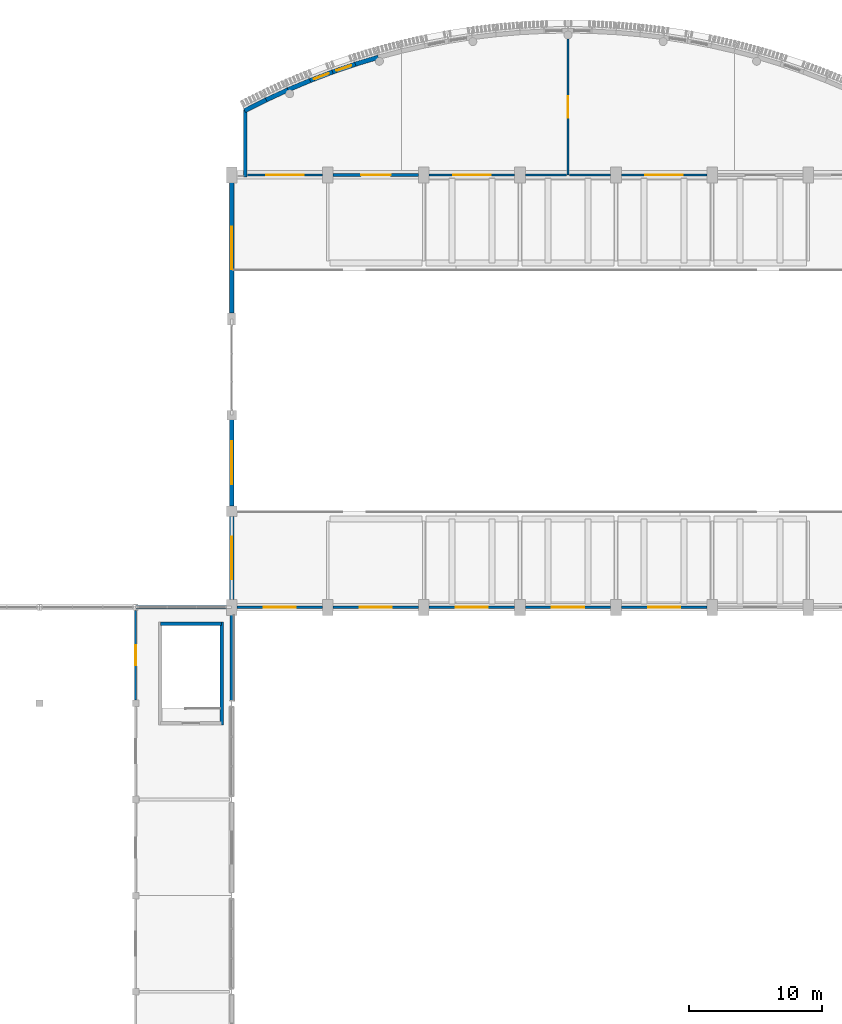
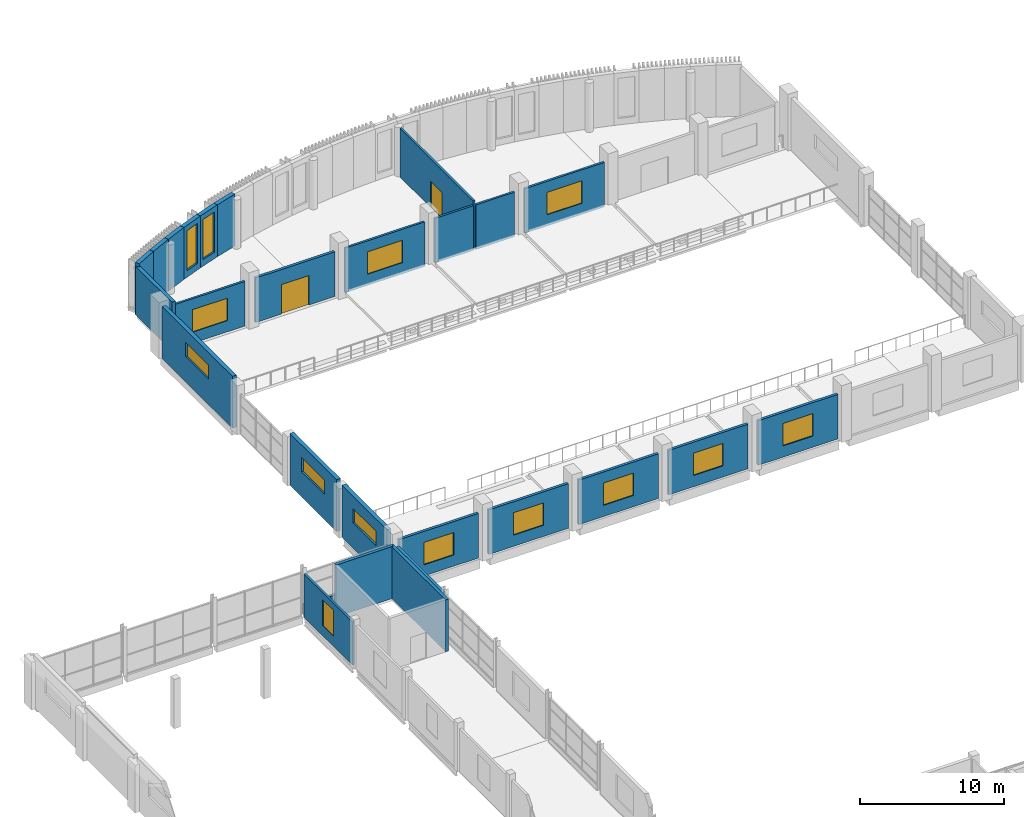
# One storey, part 52 of 71: 27 walls, 14 windows, 2 doors, 16 openings.
"""IFC4 building model written with IfcOpenShell, lengths in metres."""

from ifc_helpers import new_model, si_unit, direction, frame, frame_2d, origin, place, context, subcontext, project, spatial, polyline, rectangle, outline, extrude, material, layer, layer_set, type_object, element, fill, save


model = new_model("IFC4")

# Units and contexts
model_context = context("Model", 3, precision=1e-05, world=origin(), true_north=direction((0.0, 1.0)))
body_context = subcontext(model_context, "Body", "Model", "MODEL_VIEW")
ifc_project = project(units=[si_unit("LENGTHUNIT", "METRE"), si_unit("AREAUNIT", "SQUARE_METRE"), si_unit("VOLUMEUNIT", "CUBIC_METRE"), si_unit("PLANEANGLEUNIT", "RADIAN"), si_unit("MASSUNIT", "GRAM", prefix="KILO")], contexts=[model_context])

# Site, building, storey
site_placement = place(None, origin())
site = spatial("IfcSite", under=ifc_project, at=site_placement, CompositionType="ELEMENT")
building_placement = place(site_placement, origin())
building = spatial("IfcBuilding", under=site, at=building_placement, Name="Sardonyx Promenade Sports Hall", CompositionType="ELEMENT")
storey_placement = place(building_placement, frame((0.0, 0.0, 16.0)))
storey = spatial("IfcBuildingStorey", under=building, at=storey_placement, Name="L03", CompositionType="ELEMENT", Elevation=16.0)

# Walls
ifc_material_1 = material(Name="Concrete C40/50", Category="concrete")
ifc_layer_1 = layer(ifc_material_1, 0.340087890625)
ifc_layer_set_1 = layer_set([ifc_layer_1], Name="Wall_Bow_Arc_340")
wall_type_1 = type_object("IfcWallType", Name="Wall_Bow_Arc_340", PredefinedType="SOLIDWALL", material=ifc_layer_set_1)
for number, where, z_axis, x_axis, name in (
    (1, (29.773681640625, 109.2119140625, 0.0), (0.0, 0.0, 1.0), (0.892821085875, 0.450411488104, 0.0), "Bowed promenade wall EW07 L03 CH01"),
    (2, (31.380859375, 110.022705078125, 0.0), (0.0, 0.0, 1.0), (0.907808472517, 0.419384998808, 0.0), "Bowed promenade wall EW07 L03 CH02"),
):
    element("IfcWall", number, at=place(storey_placement, frame(where, z_axis=z_axis, x_axis=x_axis)), inside=storey, type_object=wall_type_1, Name=name, PredefinedType="SOLIDWALL", context=body_context, shape_type="SweptSolid", body=[
        extrude(outline(polyline([(0.002943, -0.17), (1.797057, -0.17), (1.802943, 0.17), (-0.002943, 0.17), (0.002943, -0.17)])), origin(), (0.0, 0.0, 1.0), 4.39990234375),
    ])
wall_1_placement = place(storey_placement, frame((33.014892578125, 110.777587890625, 0.0), z_axis=(0.0, 0.0, 1.0), x_axis=(0.921803799964, 0.387656748131, 0.0)))
element("IfcWall", 3, at=wall_1_placement, inside=storey, type_object=wall_type_1, Name="Bowed promenade wall EW07 L03 CH03", PredefinedType="SOLIDWALL", context=body_context, shape_type="SweptSolid", body=[
    extrude(outline(polyline([(0.002943, -0.17), (1.797058, -0.17), (1.802943, 0.17), (-0.002943, 0.17), (0.002943, -0.17)])), origin(), (0.0, 0.0, 1.0), 4.39990234375),
])

# Wall, opening, window
wall_2_placement = place(storey_placement, frame((34.674072265625, 111.475341796875, 0.0), z_axis=(0.0, 0.0, 1.0), x_axis=(0.934674543416, 0.35550456803, 0.0)))
wall_2 = element("IfcWall", 4, at=wall_2_placement, inside=storey, type_object=wall_type_1, Name="Bowed promenade wall EW07 L03 CH04", PredefinedType="SOLIDWALL", context=body_context, shape_type="SweptSolid", body=[
    extrude(outline(polyline([(0.002943, -0.17), (1.797057, -0.17), (1.802943, 0.17), (-0.002943, 0.17), (0.002943, -0.17)])), origin(), (0.0, 0.0, 1.0), 4.39990234375),
])
opening_1_placement = place(wall_2_placement, frame((0.31005859375, 0.0, 0.550048828125)))
opening_1 = element("IfcOpeningElement", 5, at=opening_1_placement, cuts=wall_2, Name="Opening W24", PredefinedType="OPENING", context=body_context, shape_type="SweptSolid", body=[
    extrude(rectangle(XDim=1.179931640625, YDim=3.39990234375, at=frame_2d((0.58984375, 1.699951171875))), frame((0.0, 0.18, 0.0), z_axis=(0.0, -1.0, 0.0), x_axis=(1.0, 0.0, 0.0)), (0.0, 0.0, 1.0), 0.36),
])
ifc_material_2 = material(Name="Double-glazed solar low-E aluminium window", Category="aluminium")
window_type_1 = type_object("IfcWindowType", Name="Win_Bow_Upper", PartitioningType="SINGLE_PANEL", PredefinedType="WINDOW", material=ifc_material_2)
window_1_placement = place(opening_1_placement, origin())
window_1 = element("IfcWindow", 6, at=window_1_placement, inside=storey, type_object=window_type_1, Name="Harbour daylight bay window W24 L03 CH04", OverallHeight=3.39990234375, OverallWidth=1.179931640625, PartitioningType="SINGLE_PANEL", PredefinedType="WINDOW", context=body_context, shape_type="SweptSolid", body=[
    extrude(rectangle(XDim=1.179931640625, YDim=3.39990234375, at=frame_2d((0.58984375, 1.699951171875))), frame((0.0, 0.030029296875, 0.0), z_axis=(0.0, -1.0, 0.0), x_axis=(1.0, 0.0, 0.0)), (0.0, 0.0, 1.0), 0.06005859375),
])
fill(opening_1, window_1)

wall_3_placement = place(storey_placement, frame((36.3564453125, 112.115234375, 0.0), z_axis=(0.0, 0.0, 1.0), x_axis=(0.946421657721, 0.322933500578, 0.0)))
wall_3 = element("IfcWall", 7, at=wall_3_placement, inside=storey, type_object=wall_type_1, Name="Bowed promenade wall EW07 L03 CH05", PredefinedType="SOLIDWALL", context=body_context, shape_type="SweptSolid", body=[
    extrude(outline(polyline([(0.002943, -0.17), (1.797057, -0.17), (1.802942, 0.17), (-0.002943, 0.17), (0.002943, -0.17)])), origin(), (0.0, 0.0, 1.0), 4.39990234375),
])
opening_2_placement = place(wall_3_placement, frame((0.31005859375, 0.0, 0.550048828125)))
opening_2 = element("IfcOpeningElement", 8, at=opening_2_placement, cuts=wall_3, Name="Opening W24", PredefinedType="OPENING", context=body_context, shape_type="SweptSolid", body=[
    extrude(rectangle(XDim=1.179931640625, YDim=3.39990234375, at=frame_2d((0.58984375, 1.699951171875))), frame((0.0, 0.18, 0.0), z_axis=(0.0, -1.0, 0.0), x_axis=(1.0, 0.0, 0.0)), (0.0, 0.0, 1.0), 0.36),
])
window_2_placement = place(opening_2_placement, origin())
window_2 = element("IfcWindow", 9, at=window_2_placement, inside=storey, type_object=window_type_1, Name="Harbour daylight bay window W24 L03 CH05", OverallHeight=3.39990234375, OverallWidth=1.179931640625, PartitioningType="SINGLE_PANEL", PredefinedType="WINDOW", context=body_context, shape_type="SweptSolid", body=[
    extrude(rectangle(XDim=1.179931640625, YDim=3.39990234375, at=frame_2d((0.58984375, 1.699951171875))), frame((0.0, 0.030029296875, 0.0), z_axis=(0.0, -1.0, 0.0), x_axis=(1.0, 0.0, 0.0)), (0.0, 0.0, 1.0), 0.06005859375),
])
fill(opening_2, window_2)

# Wall
wall_4_placement = place(storey_placement, frame((38.06005859375, 112.696533203125, 0.0), z_axis=(0.0, 0.0, 1.0), x_axis=(0.956993600338, 0.290109029354, 0.0)))
element("IfcWall", 10, at=wall_4_placement, inside=storey, type_object=wall_type_1, Name="Bowed promenade wall EW07 L03 CH06", PredefinedType="SOLIDWALL", context=body_context, shape_type="SweptSolid", body=[
    extrude(outline(polyline([(0.002943, -0.17), (1.797057, -0.17), (1.802942, 0.17), (-0.002943, 0.17), (0.002943, -0.17)])), origin(), (0.0, 0.0, 1.0), 4.39990234375),
])

# Wall, opening, window
ifc_material_3 = material(Name="Concrete C40/50", Category="concrete")
ifc_layer_2 = layer(ifc_material_3, 0.320068359375)
ifc_layer_set_2 = layer_set([ifc_layer_2], Name="Wall_Ext_Court_320")
wall_type_2 = type_object("IfcWallType", Name="Wall_Ext_Court_320", PredefinedType="SOLIDWALL", material=ifc_layer_set_2)
wall_5_placement = place(storey_placement, frame((28.800048828125, 72.5849609375, 0.0), z_axis=(0.0, 0.0, 1.0), x_axis=(0.0, 1.0, 0.0)))
wall_5 = element("IfcWall", 11, at=wall_5_placement, inside=storey, type_object=wall_type_2, Name="Exterior wall EW01 L03 #218", PredefinedType="SOLIDWALL", context=body_context, shape_type="SweptSolid", body=[
    extrude(rectangle(XDim=6.22998046875, YDim=0.320068359375, at=frame_2d((3.114990234375, 0.0))), origin(), (0.0, 0.0, 1.0), 4.39990234375),
])
opening_3_placement = place(wall_5_placement, frame((1.514892578125, 0.0, 2.14990234375)))
opening_3 = element("IfcOpeningElement", 12, at=opening_3_placement, cuts=wall_5, Name="Opening W22", PredefinedType="OPENING", context=body_context, shape_type="SweptSolid", body=[
    extrude(rectangle(XDim=3.199951171875, YDim=1.199951171875, at=frame_2d((1.60009765625, 0.60009765625))), frame((0.0, 0.17, 0.0), z_axis=(0.0, -1.0, 0.0), x_axis=(1.0, 0.0, 0.0)), (0.0, 0.0, 1.0), 0.34),
])
ifc_material_4 = material(Name="Double-glazed solar low-E aluminium window", Category="aluminium")
window_type_2 = type_object("IfcWindowType", Name="Win_Clerestory_320x120", PartitioningType="DOUBLE_PANEL_VERTICAL", PredefinedType="WINDOW", material=ifc_material_4)
window_3_placement = place(opening_3_placement, origin())
window_3 = element("IfcWindow", 13, at=window_3_placement, inside=storey, type_object=window_type_2, Name="Facade window W22 L03 #87", OverallHeight=1.199951171875, OverallWidth=3.199951171875, PartitioningType="SINGLE_PANEL", PredefinedType="WINDOW", context=body_context, shape_type="SweptSolid", body=[
    extrude(rectangle(XDim=3.199951171875, YDim=1.199951171875, at=frame_2d((1.60009765625, 0.60009765625))), frame((0.0, 0.030029296875, 0.0), z_axis=(0.0, -1.0, 0.0), x_axis=(1.0, 0.0, 0.0)), (0.0, 0.0, 1.0), 0.06005859375),
])
fill(opening_3, window_3)

wall_6_placement = place(storey_placement, frame((28.800048828125, 79.5849609375, 0.0), z_axis=(0.0, 0.0, 1.0), x_axis=(0.0, 1.0, 0.0)))
wall_6 = element("IfcWall", 14, at=wall_6_placement, inside=storey, type_object=wall_type_2, Name="Exterior wall EW01 L03 #219", PredefinedType="SOLIDWALL", context=body_context, shape_type="SweptSolid", body=[
    extrude(rectangle(XDim=6.47998046875, YDim=0.320068359375, at=frame_2d((3.239990234375, 0.0))), origin(), (0.0, 0.0, 1.0), 4.39990234375),
])
opening_4_placement = place(wall_6_placement, frame((1.639892578125, 0.0, 2.14990234375)))
opening_4 = element("IfcOpeningElement", 15, at=opening_4_placement, cuts=wall_6, Name="Opening W22", PredefinedType="OPENING", context=body_context, shape_type="SweptSolid", body=[
    extrude(rectangle(XDim=3.199951171875, YDim=1.199951171875, at=frame_2d((1.60009765625, 0.60009765625))), frame((0.0, 0.17, 0.0), z_axis=(0.0, -1.0, 0.0), x_axis=(1.0, 0.0, 0.0)), (0.0, 0.0, 1.0), 0.34),
])
window_4_placement = place(opening_4_placement, origin())
window_4 = element("IfcWindow", 16, at=window_4_placement, inside=storey, type_object=window_type_2, Name="Facade window W22 L03 #88", OverallHeight=1.199951171875, OverallWidth=3.199951171875, PartitioningType="SINGLE_PANEL", PredefinedType="WINDOW", context=body_context, shape_type="SweptSolid", body=[
    extrude(rectangle(XDim=3.199951171875, YDim=1.199951171875, at=frame_2d((1.60009765625, 0.60009765625))), frame((0.0, 0.030029296875, 0.0), z_axis=(0.0, -1.0, 0.0), x_axis=(1.0, 0.0, 0.0)), (0.0, 0.0, 1.0), 0.06005859375),
])
fill(opening_4, window_4)

wall_7_placement = place(storey_placement, frame((28.800048828125, 94.034912109375, 0.0), z_axis=(0.0, 0.0, 1.0), x_axis=(0.0, 1.0, 0.0)))
wall_7 = element("IfcWall", 17, at=wall_7_placement, inside=storey, type_object=wall_type_2, Name="Exterior wall EW01 L03 #220", PredefinedType="SOLIDWALL", context=body_context, shape_type="SweptSolid", body=[
    extrude(rectangle(XDim=9.780029296875, YDim=0.320068359375, at=frame_2d((4.89013671875, 0.0))), origin(), (0.0, 0.0, 1.0), 4.39990234375),
])
opening_5_placement = place(wall_7_placement, frame((3.2900390625, 0.0, 2.14990234375)))
opening_5 = element("IfcOpeningElement", 18, at=opening_5_placement, cuts=wall_7, Name="Opening W22", PredefinedType="OPENING", context=body_context, shape_type="SweptSolid", body=[
    extrude(rectangle(XDim=3.199951171875, YDim=1.199951171875, at=frame_2d((1.60009765625, 0.60009765625))), frame((0.0, 0.17, 0.0), z_axis=(0.0, -1.0, 0.0), x_axis=(1.0, 0.0, 0.0)), (0.0, 0.0, 1.0), 0.34),
])
window_5_placement = place(opening_5_placement, origin())
window_5 = element("IfcWindow", 19, at=window_5_placement, inside=storey, type_object=window_type_2, Name="Facade window W22 L03 #89", OverallHeight=1.199951171875, OverallWidth=3.199951171875, PartitioningType="SINGLE_PANEL", PredefinedType="WINDOW", context=body_context, shape_type="SweptSolid", body=[
    extrude(rectangle(XDim=3.199951171875, YDim=1.199951171875, at=frame_2d((1.60009765625, 0.60009765625))), frame((0.0, 0.030029296875, 0.0), z_axis=(0.0, -1.0, 0.0), x_axis=(1.0, 0.0, 0.0)), (0.0, 0.0, 1.0), 0.06005859375),
])
fill(opening_5, window_5)

# Walls
ifc_material_5 = material(Name="Masonry CMU 15 MPa", Category="masonry")
ifc_layer_3 = layer(ifc_material_5, 0.239990234375)
ifc_layer_set_3 = layer_set([ifc_layer_3], Name="Wall_Ext_Spandrel_240")
wall_type_3 = type_object("IfcWallType", Name="Wall_Ext_Spandrel_240", PredefinedType="SOLIDWALL", material=ifc_layer_set_3)
wall_8_placement = place(storey_placement, frame((21.60400390625, 72.0, 0.0), z_axis=(0.0, 0.0, 1.0), x_axis=(1.0, 0.0, 0.0)))
element("IfcWall", 20, at=wall_8_placement, inside=storey, type_object=wall_type_3, Name="Curtain-wall sill spandrel L03 #174", PredefinedType="SOLIDWALL", context=body_context, shape_type="SweptSolid", body=[
    extrude(rectangle(XDim=6.81103515625, YDim=0.239990234375, at=frame_2d((3.405517578125, 0.0))), origin(), (0.0, 0.0, 1.0), 0.89990234375),
])
ifc_material_6 = material(Name="Concrete C40/50", Category="concrete")
ifc_layer_4 = layer(ifc_material_6, 0.280029296875)
ifc_layer_set_4 = layer_set([ifc_layer_4], Name="Wall_Ext_Wing_280")
wall_type_4 = type_object("IfcWallType", Name="Wall_Ext_Wing_280", PredefinedType="SOLIDWALL", material=ifc_layer_set_4)
wall_9_placement = place(storey_placement, frame((29.82373046875, 104.25, 0.0), z_axis=(0.0, 0.0, 1.0), x_axis=(0.0, 1.0, 0.0)))
element("IfcWall", 21, at=wall_9_placement, inside=storey, type_object=wall_type_4, Name="Bowed gallery west return wall L03", PredefinedType="SOLIDWALL", context=body_context, shape_type="SweptSolid", body=[
    extrude(rectangle(XDim=5.041748046875, YDim=0.280029296875, at=frame_2d((2.52099609375, 0.0))), origin(), (0.0, 0.0, 1.0), 4.1201171875),
])
wall_10_placement = place(storey_placement, frame((28.800048828125, 71.4150390625, 0.0), z_axis=(0.0, 0.0, 1.0), x_axis=(0.0, -1.0, 0.0)))
element("IfcWall", 22, at=wall_10_placement, inside=storey, type_object=wall_type_4, Name="Exterior wall EW02 L03 #233", PredefinedType="SOLIDWALL", context=body_context, shape_type="SweptSolid", body=[
    extrude(rectangle(XDim=6.41015625, YDim=0.280029296875, at=frame_2d((3.205078125, 0.0))), origin(), (0.0, 0.0, 1.0), 3.64990234375),
])

# Wall, opening, door
ifc_material_7 = material(Name="Twin-stud acoustic gypsum partition", Category="gypsum")
ifc_layer_5 = layer(ifc_material_7, 0.169921875)
ifc_layer_set_5 = layer_set([ifc_layer_5], Name="Wall_Part_Acoust_170")
wall_type_5 = type_object("IfcWallType", Name="Wall_Part_Acoust_170", PredefinedType="PARTITIONING", material=ifc_layer_set_5)
wall_11_placement = place(storey_placement, frame((54.0, 104.39990234375, 0.0), z_axis=(0.0, 0.0, 1.0), x_axis=(0.0, 1.0, 0.0)))
wall_11 = element("IfcWall", 23, at=wall_11_placement, inside=storey, type_object=wall_type_5, Name="Interior partition PW06 L03 #420", PredefinedType="PARTITIONING", context=body_context, shape_type="SweptSolid", body=[
    extrude(rectangle(XDim=10.18017578125, YDim=0.169921875, at=frame_2d((5.090087890625, 0.0))), origin(), (0.0, 0.0, 1.0), 4.1201171875),
])
opening_6_placement = place(wall_11_placement, frame((4.2900390625, 0.0, 0.0)))
opening_6 = element("IfcOpeningElement", 24, at=opening_6_placement, cuts=wall_11, Name="Opening ID09", PredefinedType="OPENING", context=body_context, shape_type="SweptSolid", body=[
    extrude(rectangle(XDim=1.60009765625, YDim=2.199951171875, at=frame_2d((0.800048828125, 1.10009765625))), frame((0.0, 0.095, 0.0), z_axis=(0.0, -1.0, 0.0), x_axis=(1.0, 0.0, 0.0)), (0.0, 0.0, 1.0), 0.19),
])
ifc_material_8 = material(Name="Double hardwood vision-panel fire door FD60S", Category="wood")
door_type_1 = type_object("IfcDoorType", Name="Door_Lobby_FD60_160x220", OperationType="NOTDEFINED", PredefinedType="DOOR", material=ifc_material_8)
door_1_placement = place(opening_6_placement, origin())
door_1 = element("IfcDoor", 25, at=door_1_placement, inside=storey, type_object=door_type_1, Name="Interior door D03-133", OperationType="DOUBLE_DOOR_SINGLE_SWING", OverallHeight=2.199951171875, OverallWidth=1.60009765625, PredefinedType="DOOR", context=body_context, shape_type="SweptSolid", body=[
    extrude(rectangle(XDim=1.60009765625, YDim=2.199951171875, at=frame_2d((0.800048828125, 1.10009765625))), frame((0.0, 0.02490234375, 0.0), z_axis=(0.0, -1.0, 0.0), x_axis=(1.0, 0.0, 0.0)), (0.0, 0.0, 1.0), 0.050048828125),
])
fill(opening_6, door_1)

# Wall, opening, window
wall_12_placement = place(storey_placement, frame((29.9736328125, 104.39990234375, 0.0), z_axis=(0.0, 0.0, 1.0), x_axis=(1.0, 0.0, 0.0)))
wall_12 = element("IfcWall", 26, at=wall_12_placement, inside=storey, type_object=wall_type_5, Name="Interior partition PW06 L03 #421", PredefinedType="PARTITIONING", context=body_context, shape_type="SweptSolid", body=[
    extrude(rectangle(XDim=5.62646484375, YDim=0.169921875, at=frame_2d((2.813232421875, 0.0))), origin(), (0.0, 0.0, 1.0), 3.780029296875),
])
opening_7_placement = place(wall_12_placement, frame((1.4130859375, 0.0, 0.949951171875)))
opening_7 = element("IfcOpeningElement", 27, at=opening_7_placement, cuts=wall_12, Name="Opening IW06", PredefinedType="OPENING", context=body_context, shape_type="SweptSolid", body=[
    extrude(rectangle(XDim=2.800048828125, YDim=1.89990234375, at=frame_2d((1.39990234375, 0.949951171875))), frame((0.0, 0.095, 0.0), z_axis=(0.0, -1.0, 0.0), x_axis=(1.0, 0.0, 0.0)), (0.0, 0.0, 1.0), 0.19),
])
ifc_material_9 = material(Name="Acoustic laminated sports viewing glazing EI 60", Category="glass")
window_type_3 = type_object("IfcWindowType", Name="IWin_Arena_280x190", PartitioningType="DOUBLE_PANEL_VERTICAL", PredefinedType="WINDOW", material=ifc_material_9)
window_6_placement = place(opening_7_placement, origin())
window_6 = element("IfcWindow", 28, at=window_6_placement, inside=storey, type_object=window_type_3, Name="Internal viewing window IW06 L03 #41", OverallHeight=1.89990234375, OverallWidth=2.800048828125, PartitioningType="SINGLE_PANEL", PredefinedType="WINDOW", context=body_context, shape_type="SweptSolid", body=[
    extrude(rectangle(XDim=2.800048828125, YDim=1.89990234375, at=frame_2d((1.39990234375, 0.949951171875))), frame((0.0, 0.030029296875, 0.0), z_axis=(0.0, -1.0, 0.0), x_axis=(1.0, 0.0, 0.0)), (0.0, 0.0, 1.0), 0.06005859375),
])
fill(opening_7, window_6)

wall_13_placement = place(storey_placement, frame((43.60009765625, 104.39990234375, 0.0), z_axis=(0.0, 0.0, 1.0), x_axis=(1.0, 0.0, 0.0)))
wall_13 = element("IfcWall", 29, at=wall_13_placement, inside=storey, type_object=wall_type_5, Name="Interior partition PW06 L03 #423", PredefinedType="PARTITIONING", context=body_context, shape_type="SweptSolid", body=[
    extrude(rectangle(XDim=6.39990234375, YDim=0.169921875, at=frame_2d((3.199951171875, 0.0))), origin(), (0.0, 0.0, 1.0), 3.780029296875),
])
opening_8_placement = place(wall_13_placement, frame((1.800048828125, 0.0, 0.949951171875)))
opening_8 = element("IfcOpeningElement", 30, at=opening_8_placement, cuts=wall_13, Name="Opening IW06", PredefinedType="OPENING", context=body_context, shape_type="SweptSolid", body=[
    extrude(rectangle(XDim=2.800048828125, YDim=1.89990234375, at=frame_2d((1.39990234375, 0.949951171875))), frame((0.0, 0.095, 0.0), z_axis=(0.0, -1.0, 0.0), x_axis=(1.0, 0.0, 0.0)), (0.0, 0.0, 1.0), 0.19),
])
window_7_placement = place(opening_8_placement, origin())
window_7 = element("IfcWindow", 31, at=window_7_placement, inside=storey, type_object=window_type_3, Name="Internal viewing window IW06 L03 #42", OverallHeight=1.89990234375, OverallWidth=2.800048828125, PartitioningType="SINGLE_PANEL", PredefinedType="WINDOW", context=body_context, shape_type="SweptSolid", body=[
    extrude(rectangle(XDim=2.800048828125, YDim=1.89990234375, at=frame_2d((1.39990234375, 0.949951171875))), frame((0.0, 0.030029296875, 0.0), z_axis=(0.0, -1.0, 0.0), x_axis=(1.0, 0.0, 0.0)), (0.0, 0.0, 1.0), 0.06005859375),
])
fill(opening_8, window_7)

# Walls
for number, where, z_axis, x_axis, name in (
    (32, (50.800048828125, 104.39990234375, 0.0), (0.0, 0.0, 1.0), (1.0, 0.0, 0.0), "Interior partition PW06 L03 #424"),
    (33, (54.094970703125, 104.39990234375, 0.0), (0.0, 0.0, 1.0), (1.0, 0.0, 0.0), "Interior partition PW06 L03 #425"),
):
    element("IfcWall", number, at=place(storey_placement, frame(where, z_axis=z_axis, x_axis=x_axis)), inside=storey, type_object=wall_type_5, Name=name, PredefinedType="PARTITIONING", context=body_context, shape_type="SweptSolid", body=[
        extrude(rectangle(XDim=3.10498046875, YDim=0.169921875, at=frame_2d((1.552490234375, 0.0))), origin(), (0.0, 0.0, 1.0), 3.780029296875),
    ])

# Wall, opening, window
wall_14_placement = place(storey_placement, frame((58.0, 104.39990234375, 0.0), z_axis=(0.0, 0.0, 1.0), x_axis=(1.0, 0.0, 0.0)))
wall_14 = element("IfcWall", 34, at=wall_14_placement, inside=storey, type_object=wall_type_5, Name="Interior partition PW06 L03 #426", PredefinedType="PARTITIONING", context=body_context, shape_type="SweptSolid", body=[
    extrude(rectangle(XDim=6.39990234375, YDim=0.169921875, at=frame_2d((3.199951171875, 0.0))), origin(), (0.0, 0.0, 1.0), 3.780029296875),
])
opening_9_placement = place(wall_14_placement, frame((1.800048828125, 0.0, 0.949951171875)))
opening_9 = element("IfcOpeningElement", 35, at=opening_9_placement, cuts=wall_14, Name="Opening IW06", PredefinedType="OPENING", context=body_context, shape_type="SweptSolid", body=[
    extrude(rectangle(XDim=2.800048828125, YDim=1.89990234375, at=frame_2d((1.39990234375, 0.949951171875))), frame((0.0, 0.095, 0.0), z_axis=(0.0, -1.0, 0.0), x_axis=(1.0, 0.0, 0.0)), (0.0, 0.0, 1.0), 0.19),
])
window_8_placement = place(opening_9_placement, origin())
window_8 = element("IfcWindow", 36, at=window_8_placement, inside=storey, type_object=window_type_3, Name="Internal viewing window IW06 L03 #43", OverallHeight=1.89990234375, OverallWidth=2.800048828125, PartitioningType="SINGLE_PANEL", PredefinedType="WINDOW", context=body_context, shape_type="SweptSolid", body=[
    extrude(rectangle(XDim=2.800048828125, YDim=1.89990234375, at=frame_2d((1.39990234375, 0.949951171875))), frame((0.0, 0.030029296875, 0.0), z_axis=(0.0, -1.0, 0.0), x_axis=(1.0, 0.0, 0.0)), (0.0, 0.0, 1.0), 0.06005859375),
])
fill(opening_9, window_8)

wall_15_placement = place(storey_placement, frame((21.60009765625, 65.050048828125, 0.0), z_axis=(0.0, 0.0, 1.0), x_axis=(0.0, 1.0, 0.0)))
wall_15 = element("IfcWall", 37, at=wall_15_placement, inside=storey, type_object=wall_type_5, Name="Interior partition PW06 L03 #505", PredefinedType="PARTITIONING", context=body_context, shape_type="SweptSolid", body=[
    extrude(rectangle(XDim=6.72998046875, YDim=0.169921875, at=frame_2d((3.364990234375, 0.0))), origin(), (0.0, 0.0, 1.0), 3.64990234375),
])
opening_10_placement = place(wall_15_placement, frame((2.614990234375, 0.0, 0.85009765625)))
opening_10 = element("IfcOpeningElement", 38, at=opening_10_placement, cuts=wall_15, Name="Opening IW08", PredefinedType="OPENING", context=body_context, shape_type="SweptSolid", body=[
    extrude(rectangle(XDim=1.5, YDim=2.199951171875, at=frame_2d((0.75, 1.10009765625))), frame((0.0, 0.095, 0.0), z_axis=(0.0, -1.0, 0.0), x_axis=(1.0, 0.0, 0.0)), (0.0, 0.0, 1.0), 0.19),
])
ifc_material_10 = material(Name="Acoustic laminated sports viewing glazing EI 60", Category="glass")
window_type_4 = type_object("IfcWindowType", Name="IWin_Climb_150x220", PartitioningType="DOUBLE_PANEL_VERTICAL", PredefinedType="WINDOW", material=ifc_material_10)
window_9_placement = place(opening_10_placement, origin())
window_9 = element("IfcWindow", 39, at=window_9_placement, inside=storey, type_object=window_type_4, Name="Internal viewing window IW08 L03 #87", OverallHeight=2.199951171875, OverallWidth=1.5, PartitioningType="SINGLE_PANEL", PredefinedType="WINDOW", context=body_context, shape_type="SweptSolid", body=[
    extrude(rectangle(XDim=1.5, YDim=2.199951171875, at=frame_2d((0.75, 1.10009765625))), frame((0.0, 0.030029296875, 0.0), z_axis=(0.0, -1.0, 0.0), x_axis=(1.0, 0.0, 0.0)), (0.0, 0.0, 1.0), 0.06005859375),
])
fill(opening_10, window_9)

# Wall, opening, door
ifc_material_11 = material(Name="Masonry CMU 15 MPa", Category="masonry")
ifc_layer_6 = layer(ifc_material_11, 0.2099609375)
ifc_layer_set_6 = layer_set([ifc_layer_6], Name="Wall_Part_Block_210")
wall_type_6 = type_object("IfcWallType", Name="Wall_Part_Block_210", PredefinedType="PARTITIONING", material=ifc_layer_set_6)
wall_16_placement = place(storey_placement, frame((36.39990234375, 104.39990234375, 0.0), z_axis=(0.0, 0.0, 1.0), x_axis=(1.0, 0.0, 0.0)))
wall_16 = element("IfcWall", 40, at=wall_16_placement, inside=storey, type_object=wall_type_6, Name="Interior partition PW07 L03 #422", PredefinedType="PARTITIONING", context=body_context, shape_type="SweptSolid", body=[
    extrude(rectangle(XDim=6.400146484375, YDim=0.2099609375, at=frame_2d((3.2001953125, 0.0))), origin(), (0.0, 0.0, 1.0), 3.780029296875),
])
opening_11_placement = place(wall_16_placement, frame((2.10009765625, 0.0, 0.0)))
opening_11 = element("IfcOpeningElement", 41, at=opening_11_placement, cuts=wall_16, Name="Opening ID04", PredefinedType="OPENING", context=body_context, shape_type="SweptSolid", body=[
    extrude(rectangle(XDim=2.199951171875, YDim=2.5, at=frame_2d((1.10009765625, 1.25))), frame((0.0, 0.115, 0.0), z_axis=(0.0, -1.0, 0.0), x_axis=(1.0, 0.0, 0.0)), (0.0, 0.0, 1.0), 0.23),
])
ifc_material_12 = material(Name="Double acoustic sports hall fire door FD60S", Category="wood")
door_type_2 = type_object("IfcDoorType", Name="Door_Hall_FD60_220x250", OperationType="NOTDEFINED", PredefinedType="DOOR", material=ifc_material_12)
door_2_placement = place(opening_11_placement, origin())
door_2 = element("IfcDoor", 42, at=door_2_placement, inside=storey, type_object=door_type_2, Name="Interior door D03-134", OperationType="DOUBLE_DOOR_SINGLE_SWING", OverallHeight=2.5, OverallWidth=2.199951171875, PredefinedType="DOOR", context=body_context, shape_type="SweptSolid", body=[
    extrude(rectangle(XDim=2.199951171875, YDim=2.5, at=frame_2d((1.10009765625, 1.25))), frame((0.0, 0.02490234375, 0.0), z_axis=(0.0, -1.0, 0.0), x_axis=(1.0, 0.0, 0.0)), (0.0, 0.0, 1.0), 0.050048828125),
])
fill(opening_11, door_2)

# Wall, opening, window
wall_17_placement = place(storey_placement, frame((29.199951171875, 72.0, 0.0), z_axis=(0.0, 0.0, 1.0), x_axis=(1.0, 0.0, 0.0)))
wall_17 = element("IfcWall", 43, at=wall_17_placement, inside=storey, type_object=wall_type_6, Name="Interior partition PW07 L03 #429", PredefinedType="PARTITIONING", context=body_context, shape_type="SweptSolid", body=[
    extrude(rectangle(XDim=6.400146484375, YDim=0.2099609375, at=frame_2d((3.2001953125, 0.0))), origin(), (0.0, 0.0, 1.0), 3.780029296875),
])
opening_12_placement = place(wall_17_placement, frame((2.0, 0.0, 0.949951171875)))
opening_12 = element("IfcOpeningElement", 44, at=opening_12_placement, cuts=wall_17, Name="Opening IW03", PredefinedType="OPENING", context=body_context, shape_type="SweptSolid", body=[
    extrude(rectangle(XDim=2.39990234375, YDim=1.89990234375, at=frame_2d((1.199951171875, 0.949951171875))), frame((0.0, 0.115, 0.0), z_axis=(0.0, -1.0, 0.0), x_axis=(1.0, 0.0, 0.0)), (0.0, 0.0, 1.0), 0.23),
])
ifc_material_13 = material(Name="Acoustic laminated sports viewing glazing EI 60", Category="glass")
window_type_5 = type_object("IfcWindowType", Name="IWin_Arena_240x190", PartitioningType="DOUBLE_PANEL_VERTICAL", PredefinedType="WINDOW", material=ifc_material_13)
window_10_placement = place(opening_12_placement, origin())
window_10 = element("IfcWindow", 45, at=window_10_placement, inside=storey, type_object=window_type_5, Name="Internal viewing window IW03 L03 #45", OverallHeight=1.89990234375, OverallWidth=2.39990234375, PartitioningType="SINGLE_PANEL", PredefinedType="WINDOW", context=body_context, shape_type="SweptSolid", body=[
    extrude(rectangle(XDim=2.39990234375, YDim=1.89990234375, at=frame_2d((1.199951171875, 0.949951171875))), frame((0.0, 0.030029296875, 0.0), z_axis=(0.0, -1.0, 0.0), x_axis=(1.0, 0.0, 0.0)), (0.0, 0.0, 1.0), 0.06005859375),
])
fill(opening_12, window_10)

wall_18_placement = place(storey_placement, frame((36.39990234375, 72.0, 0.0), z_axis=(0.0, 0.0, 1.0), x_axis=(1.0, 0.0, 0.0)))
wall_18 = element("IfcWall", 46, at=wall_18_placement, inside=storey, type_object=wall_type_6, Name="Interior partition PW07 L03 #430", PredefinedType="PARTITIONING", context=body_context, shape_type="SweptSolid", body=[
    extrude(rectangle(XDim=6.400146484375, YDim=0.2099609375, at=frame_2d((3.2001953125, 0.0))), origin(), (0.0, 0.0, 1.0), 3.780029296875),
])
opening_13_placement = place(wall_18_placement, frame((2.0, 0.0, 0.949951171875)))
opening_13 = element("IfcOpeningElement", 47, at=opening_13_placement, cuts=wall_18, Name="Opening IW03", PredefinedType="OPENING", context=body_context, shape_type="SweptSolid", body=[
    extrude(rectangle(XDim=2.39990234375, YDim=1.89990234375, at=frame_2d((1.199951171875, 0.949951171875))), frame((0.0, 0.115, 0.0), z_axis=(0.0, -1.0, 0.0), x_axis=(1.0, 0.0, 0.0)), (0.0, 0.0, 1.0), 0.23),
])
window_11_placement = place(opening_13_placement, origin())
window_11 = element("IfcWindow", 48, at=window_11_placement, inside=storey, type_object=window_type_5, Name="Internal viewing window IW03 L03 #46", OverallHeight=1.89990234375, OverallWidth=2.39990234375, PartitioningType="SINGLE_PANEL", PredefinedType="WINDOW", context=body_context, shape_type="SweptSolid", body=[
    extrude(rectangle(XDim=2.39990234375, YDim=1.89990234375, at=frame_2d((1.199951171875, 0.949951171875))), frame((0.0, 0.030029296875, 0.0), z_axis=(0.0, -1.0, 0.0), x_axis=(1.0, 0.0, 0.0)), (0.0, 0.0, 1.0), 0.06005859375),
])
fill(opening_13, window_11)

wall_19_placement = place(storey_placement, frame((43.60009765625, 72.0, 0.0), z_axis=(0.0, 0.0, 1.0), x_axis=(1.0, 0.0, 0.0)))
wall_19 = element("IfcWall", 49, at=wall_19_placement, inside=storey, type_object=wall_type_6, Name="Interior partition PW07 L03 #431", PredefinedType="PARTITIONING", context=body_context, shape_type="SweptSolid", body=[
    extrude(rectangle(XDim=6.39990234375, YDim=0.2099609375, at=frame_2d((3.199951171875, 0.0))), origin(), (0.0, 0.0, 1.0), 3.780029296875),
])
opening_14_placement = place(wall_19_placement, frame((2.0, 0.0, 0.949951171875)))
opening_14 = element("IfcOpeningElement", 50, at=opening_14_placement, cuts=wall_19, Name="Opening IW03", PredefinedType="OPENING", context=body_context, shape_type="SweptSolid", body=[
    extrude(rectangle(XDim=2.39990234375, YDim=1.89990234375, at=frame_2d((1.199951171875, 0.949951171875))), frame((0.0, 0.115, 0.0), z_axis=(0.0, -1.0, 0.0), x_axis=(1.0, 0.0, 0.0)), (0.0, 0.0, 1.0), 0.23),
])
window_12_placement = place(opening_14_placement, origin())
window_12 = element("IfcWindow", 51, at=window_12_placement, inside=storey, type_object=window_type_5, Name="Internal viewing window IW03 L03 #47", OverallHeight=1.89990234375, OverallWidth=2.39990234375, PartitioningType="SINGLE_PANEL", PredefinedType="WINDOW", context=body_context, shape_type="SweptSolid", body=[
    extrude(rectangle(XDim=2.39990234375, YDim=1.89990234375, at=frame_2d((1.199951171875, 0.949951171875))), frame((0.0, 0.030029296875, 0.0), z_axis=(0.0, -1.0, 0.0), x_axis=(1.0, 0.0, 0.0)), (0.0, 0.0, 1.0), 0.06005859375),
])
fill(opening_14, window_12)

wall_20_placement = place(storey_placement, frame((50.800048828125, 72.0, 0.0), z_axis=(0.0, 0.0, 1.0), x_axis=(1.0, 0.0, 0.0)))
wall_20 = element("IfcWall", 52, at=wall_20_placement, inside=storey, type_object=wall_type_6, Name="Interior partition PW07 L03 #432", PredefinedType="PARTITIONING", context=body_context, shape_type="SweptSolid", body=[
    extrude(rectangle(XDim=6.39990234375, YDim=0.2099609375, at=frame_2d((3.199951171875, 0.0))), origin(), (0.0, 0.0, 1.0), 3.780029296875),
])
opening_15_placement = place(wall_20_placement, frame((2.0, 0.0, 0.949951171875)))
opening_15 = element("IfcOpeningElement", 53, at=opening_15_placement, cuts=wall_20, Name="Opening IW03", PredefinedType="OPENING", context=body_context, shape_type="SweptSolid", body=[
    extrude(rectangle(XDim=2.39990234375, YDim=1.89990234375, at=frame_2d((1.199951171875, 0.949951171875))), frame((0.0, 0.115, 0.0), z_axis=(0.0, -1.0, 0.0), x_axis=(1.0, 0.0, 0.0)), (0.0, 0.0, 1.0), 0.23),
])
window_13_placement = place(opening_15_placement, origin())
window_13 = element("IfcWindow", 54, at=window_13_placement, inside=storey, type_object=window_type_5, Name="Internal viewing window IW03 L03 #48", OverallHeight=1.89990234375, OverallWidth=2.39990234375, PartitioningType="SINGLE_PANEL", PredefinedType="WINDOW", context=body_context, shape_type="SweptSolid", body=[
    extrude(rectangle(XDim=2.39990234375, YDim=1.89990234375, at=frame_2d((1.199951171875, 0.949951171875))), frame((0.0, 0.030029296875, 0.0), z_axis=(0.0, -1.0, 0.0), x_axis=(1.0, 0.0, 0.0)), (0.0, 0.0, 1.0), 0.06005859375),
])
fill(opening_15, window_13)

wall_21_placement = place(storey_placement, frame((58.0, 72.0, 0.0), z_axis=(0.0, 0.0, 1.0), x_axis=(1.0, 0.0, 0.0)))
wall_21 = element("IfcWall", 55, at=wall_21_placement, inside=storey, type_object=wall_type_6, Name="Interior partition PW07 L03 #433", PredefinedType="PARTITIONING", context=body_context, shape_type="SweptSolid", body=[
    extrude(rectangle(XDim=6.39990234375, YDim=0.2099609375, at=frame_2d((3.199951171875, 0.0))), origin(), (0.0, 0.0, 1.0), 3.780029296875),
])
opening_16_placement = place(wall_21_placement, frame((2.0, 0.0, 0.949951171875)))
opening_16 = element("IfcOpeningElement", 56, at=opening_16_placement, cuts=wall_21, Name="Opening IW03", PredefinedType="OPENING", context=body_context, shape_type="SweptSolid", body=[
    extrude(rectangle(XDim=2.39990234375, YDim=1.89990234375, at=frame_2d((1.199951171875, 0.949951171875))), frame((0.0, 0.115, 0.0), z_axis=(0.0, -1.0, 0.0), x_axis=(1.0, 0.0, 0.0)), (0.0, 0.0, 1.0), 0.23),
])
window_14_placement = place(opening_16_placement, origin())
window_14 = element("IfcWindow", 57, at=window_14_placement, inside=storey, type_object=window_type_5, Name="Internal viewing window IW03 L03 #49", OverallHeight=1.89990234375, OverallWidth=2.39990234375, PartitioningType="SINGLE_PANEL", PredefinedType="WINDOW", context=body_context, shape_type="SweptSolid", body=[
    extrude(rectangle(XDim=2.39990234375, YDim=1.89990234375, at=frame_2d((1.199951171875, 0.949951171875))), frame((0.0, 0.030029296875, 0.0), z_axis=(0.0, -1.0, 0.0), x_axis=(1.0, 0.0, 0.0)), (0.0, 0.0, 1.0), 0.06005859375),
])
fill(opening_16, window_14)

# Walls
ifc_material_14 = material(Name="Concrete C40/50", Category="concrete")
ifc_layer_7 = layer(ifc_material_14, 0.25)
ifc_layer_set_7 = layer_set([ifc_layer_7], Name="Wall_Stair_Shear_250")
wall_type_7 = type_object("IfcWallType", Name="Wall_Stair_Shear_250", PredefinedType="SHEAR", material=ifc_layer_set_7)
wall_22_placement = place(storey_placement, frame((23.449951171875, 70.77490234375, 0.0), z_axis=(0.0, 0.0, 1.0), x_axis=(1.0, 0.0, 0.0)))
element("IfcWall", 58, at=wall_22_placement, inside=storey, type_object=wall_type_7, Name="Stair shaft wall ST7 L03 E", PredefinedType="SHEAR", context=body_context, shape_type="SweptSolid", body=[
    extrude(rectangle(XDim=4.60009765625, YDim=0.25, at=frame_2d((2.300048828125, 0.0))), origin(), (0.0, 0.0, 1.0), 4.39990234375),
])
wall_23_placement = place(storey_placement, frame((28.050048828125, 70.89990234375, 0.0), z_axis=(0.0, 0.0, 1.0), x_axis=(0.0, -1.0, 0.0)))
element("IfcWall", 59, at=wall_23_placement, inside=storey, type_object=wall_type_7, Name="Stair shaft wall ST7 L03 S", PredefinedType="SHEAR", context=body_context, shape_type="SweptSolid", body=[
    extrude(rectangle(XDim=7.699951171875, YDim=0.25, at=frame_2d((3.85009765625, 0.0))), origin(), (0.0, 0.0, 1.0), 4.39990234375),
])

save(model, "model.ifc")
